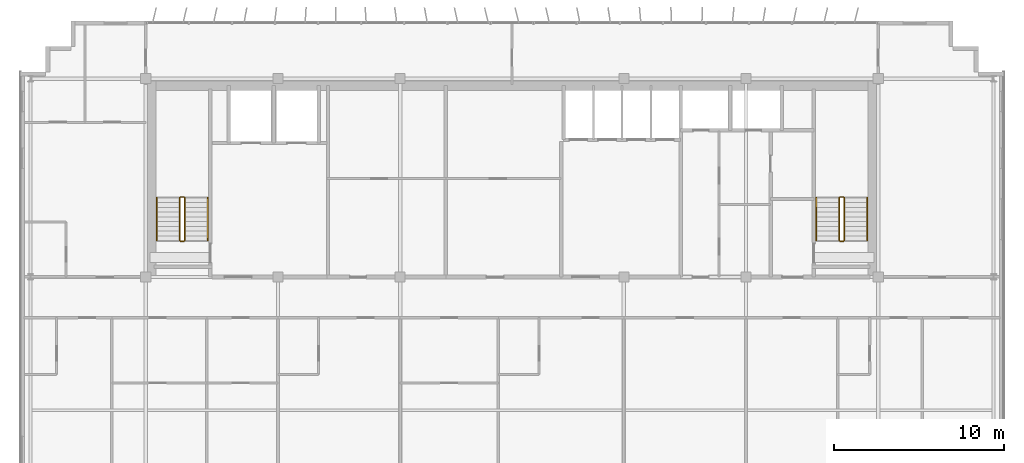
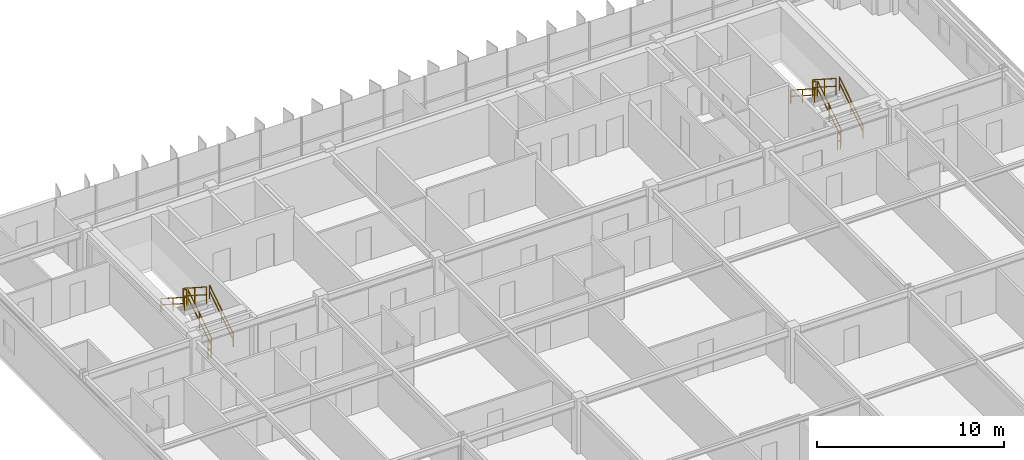
# One storey, part 23 of 23: 12 railings.
"""IFC4 building model written with IfcOpenShell, lengths in metres."""

import ifcopenshell
import ifcopenshell.guid

model = None  # the IFC model being written
_history = None  # IfcOwnerHistory: only IFC2X3 demands one
_inside = {}  # id of a spatial element -> (the spatial element, [elements in it])
_under = {}  # id of a project, library or spatial element -> (it, [spatial elements below it])
_declared = {}  # id of a project -> (the project, [libraries it declares])
_typed = {}  # id of a type object -> (the type object, [elements of that type])
_made_of = {}  # id of a material, layer set ... -> (it, [elements and type objects made of it])


def new_model(schema):
    """Start an empty IFC model of exactly this schema.

    Asked for "IFC4X3", IfcOpenShell would pick the latest addendum, in which some entities
    have other attributes; the version numbers below select the first issue.
    IFC2X3 requires an IfcOwnerHistory on every rooted entity: one is made here for all.
    """
    global model, _history
    if schema == "IFC4X3":
        model = ifcopenshell.file(schema_version=(4, 3, 0, 0))
    else:
        model = ifcopenshell.file(schema=schema)
    _inside.clear()
    _under.clear()
    _declared.clear()
    _typed.clear()
    _made_of.clear()
    _history = None
    if model.schema == "IFC2X3":
        org = make("IfcOrganization", Name="unknown")
        user = make(
            "IfcPersonAndOrganization",
            ThePerson=make("IfcPerson", FamilyName="unknown"),
            TheOrganization=org,
        )
        app = make(
            "IfcApplication",
            ApplicationDeveloper=org,
            Version="unknown",
            ApplicationFullName="unknown",
            ApplicationIdentifier="unknown",
        )
        _history = make(
            "IfcOwnerHistory",
            OwningUser=user,
            OwningApplication=app,
            ChangeAction="ADDED",
            CreationDate=0,
        )
    return model


def make(cls, **values):
    """One entity of the class cls with the attributes given. An attribute that is None is left unset."""
    return model.create_entity(
        cls, **{name: value for name, value in values.items() if value is not None}
    )


def rooted(cls, **values):
    """An entity with a GlobalId (a new one), such as an element, a storey or a relation."""
    return make(cls, GlobalId=ifcopenshell.guid.new(), OwnerHistory=_history, **values)


def si_unit(unit_type, name, prefix=None):
    """IfcSIUnit, for example si_unit("LENGTHUNIT", "METRE", prefix="MILLI")."""
    return make("IfcSIUnit", UnitType=unit_type, Prefix=prefix, Name=name)


def assignment(units):
    """IfcUnitAssignment: the units of a project."""
    return None if units is None else make("IfcUnitAssignment", Units=units)


def point(xyz):
    """IfcCartesianPoint."""
    return None if xyz is None else make("IfcCartesianPoint", Coordinates=xyz)


def direction(xyz):
    """IfcDirection."""
    return None if xyz is None else make("IfcDirection", DirectionRatios=xyz)


def frame(location, z_axis=None, x_axis=None):
    """IfcAxis2Placement3D, a coordinate frame: its origin and axes. An axis left out is left unset."""
    return make(
        "IfcAxis2Placement3D",
        Location=point(location),
        Axis=direction(z_axis),
        RefDirection=direction(x_axis),
    )


def frame_2d(location, x_axis=None):
    """IfcAxis2Placement2D, a coordinate frame in the plane: its origin and x axis."""
    return make(
        "IfcAxis2Placement2D", Location=point(location), RefDirection=direction(x_axis)
    )


def origin():
    """The frame at (0, 0, 0) with its axes left unset."""
    return frame((0.0, 0.0, 0.0))


def origin_2d():
    """The frame at (0, 0) in the plane with its x axis left unset."""
    return frame_2d((0.0, 0.0))


def place(relative_to, where):
    """IfcLocalPlacement: puts the frame where relative to a parent placement (None: the world)."""
    return make(
        "IfcLocalPlacement", PlacementRelTo=relative_to, RelativePlacement=where
    )


def context(
    kind, dimensions, precision=None, world=None, true_north=None, identifier=None
):
    """IfcGeometricRepresentationContext, for example the 3D "Model" context."""
    return make(
        "IfcGeometricRepresentationContext",
        ContextIdentifier=identifier,
        ContextType=kind,
        CoordinateSpaceDimension=dimensions,
        Precision=precision,
        WorldCoordinateSystem=world,
        TrueNorth=true_north,
    )


def subcontext(parent, identifier, kind, view, scale=None):
    """IfcGeometricRepresentationSubContext, for example "Body" below "Model"."""
    return make(
        "IfcGeometricRepresentationSubContext",
        ContextIdentifier=identifier,
        ContextType=kind,
        ParentContext=parent,
        TargetScale=scale,
        TargetView=view,
    )


def project(units=None, contexts=None):
    """IfcProject with its units and contexts."""
    return rooted(
        "IfcProject",
        Name="project",
        RepresentationContexts=contexts,
        UnitsInContext=assignment(units),
    )


def spatial(cls, under=None, at=None, **own):
    """A site, building, storey or space (cls), placed at a placement, below another one or the project."""
    s = rooted(cls, ObjectPlacement=at, **own)
    if under is not None:
        _under.setdefault(under.id(), (under, []))[1].append(s)
    return s


def profile(cls, at=None, kind="AREA", **sizes):
    """A parametric profile (cls). Its sizes go by their IFC names, for example OverallWidth=200.0."""
    return make(cls, ProfileType=kind, Position=at, **sizes)


def rectangle(**sizes):
    """IfcRectangleProfileDef."""
    return profile("IfcRectangleProfileDef", **sizes)


def extrude(swept, where, along, depth):
    """IfcExtrudedAreaSolid: the profile swept, set in the frame where, extruded along a direction by depth."""
    return make(
        "IfcExtrudedAreaSolid",
        SweptArea=swept,
        Position=where,
        ExtrudedDirection=direction(along),
        Depth=depth,
    )


def shape(context_of_items, identifier, shape_type, items):
    """IfcShapeRepresentation: the items that make up one representation, for example the "Body"."""
    return make(
        "IfcShapeRepresentation",
        ContextOfItems=context_of_items,
        RepresentationIdentifier=identifier,
        RepresentationType=shape_type,
        Items=items,
    )


def material(Name=None, Category=None):
    """IfcMaterial."""
    return make("IfcMaterial", Name=Name, Category=Category)


def made_of(thing, what):
    """Note that an element or type object is made of a material, layer set ...; save() writes the relation."""
    if what is not None:
        _made_of.setdefault(what.id(), (what, []))[1].append(thing)
    return thing


def type_object(cls, material=None, **own):
    """A type object (cls), such as IfcWallType, which elements share."""
    return made_of(rooted(cls, **own), material)


def element(
    cls,
    number,
    at=None,
    inside=None,
    cuts=None,
    type_object=None,
    material=None,
    context=None,
    identifier="Body",
    shape_type=None,
    held_by="IfcProductDefinitionShape",
    body=None,
    shapes=None,
    **own,
):
    """One element of the class cls, such as IfcWall. Its Tag is "e" and its number.

    at: its placement. inside: the storey or other place that contains it. cuts: it is an
    opening in that element (IfcRelVoidsElement). A single representation is given by context,
    identifier, shape_type and body (its items); several are given by shapes. held_by: the class
    of the entity that holds the representations. save() writes the other relations.
    """
    e = rooted(cls, Tag="e%d" % number, ObjectPlacement=at, **own)
    if body is not None:
        shapes = [shape(context, identifier, shape_type, body)]
    if shapes is not None:
        e.Representation = make(held_by, Representations=shapes)
    if inside is not None:
        _inside.setdefault(inside.id(), (inside, []))[1].append(e)
    if cuts is not None:
        rooted(
            "IfcRelVoidsElement", RelatingBuildingElement=cuts, RelatedOpeningElement=e
        )
    if type_object is not None:
        _typed.setdefault(type_object.id(), (type_object, []))[1].append(e)
    return made_of(e, material)


def aggregate(whole, parts):
    """IfcRelAggregates: a whole, such as a stair, and the parts it consists of."""
    return rooted("IfcRelAggregates", RelatingObject=whole, RelatedObjects=parts)


def save(model, path):
    """Write the relations noted so far, then the file.

    IfcRelAggregates (storeys below a building ...), IfcRelContainedInSpatialStructure (elements
    in a storey), IfcRelDefinesByType, IfcRelAssociatesMaterial and IfcRelDeclares: one each for
    every whole, place, type object, material and project.
    """
    for whole, parts in _under.values():
        aggregate(whole, parts)
    for where, things in _inside.values():
        rooted(
            "IfcRelContainedInSpatialStructure",
            RelatedElements=things,
            RelatingStructure=where,
        )
    for kind, things in _typed.values():
        rooted("IfcRelDefinesByType", RelatedObjects=things, RelatingType=kind)
    for what, things in _made_of.values():
        rooted("IfcRelAssociatesMaterial", RelatedObjects=things, RelatingMaterial=what)
    for by, libraries in _declared.values():
        rooted("IfcRelDeclares", RelatingContext=by, RelatedDefinitions=libraries)
    model.write(path)


model = new_model("IFC4")

# Units and contexts
model_context = context("Model", 3, precision=1e-05, world=origin(), true_north=direction((0.0, 1.0)))
body_context = subcontext(model_context, "Body", "Model", "MODEL_VIEW")
ifc_project = project(units=[si_unit("LENGTHUNIT", "METRE"), si_unit("AREAUNIT", "SQUARE_METRE"), si_unit("VOLUMEUNIT", "CUBIC_METRE"), si_unit("PLANEANGLEUNIT", "RADIAN"), si_unit("MASSUNIT", "GRAM", prefix="KILO")], contexts=[model_context])

# Site, building, storey
site_placement = place(None, origin())
site = spatial("IfcSite", under=ifc_project, at=site_placement, CompositionType="ELEMENT")
building_placement = place(site_placement, origin())
building = spatial("IfcBuilding", under=site, at=building_placement, Name="Trelvane Seafront Commons", CompositionType="ELEMENT")
storey_placement = place(building_placement, frame((0.0, 0.0, 266.699951171875)))
storey = spatial("IfcBuildingStorey", under=building, at=storey_placement, Name="L69", CompositionType="ELEMENT", Elevation=266.699951171875)

# Railings
ifc_material = material(Name="Stainless steel balustrade", Category="steel")
railing_type_1 = type_object("IfcRailingType", Name="ARCH-SRL-GUARD", PredefinedType="GUARDRAIL", material=ifc_material)
railing_1_placement = place(storey_placement, frame((17.89990234375, 35.550048828125, 0.179931640625)))
element("IfcRailing", 1, at=railing_1_placement, inside=storey, type_object=railing_type_1, Name="L69 ST-1 stair guard 1", PredefinedType="GUARDRAIL", context=body_context, shape_type="SweptSolid", body=[
    extrude(rectangle(XDim=0.048095703125, YDim=0.048095703125, at=origin_2d()), frame((0.0, 0.0, 1.076171875), z_axis=(0.0, 0.841162588446, 0.540782303519), x_axis=(-1.0, 0.0, 0.0)), (0.0, 0.0, 1.0), 2.995849609375),
    extrude(rectangle(XDim=0.048095703125, YDim=0.048095703125, at=origin_2d()), frame((0.0, 0.0, 0.572021484375), z_axis=(0.0, 0.841162588446, 0.540782303519), x_axis=(-1.0, 0.0, 0.0)), (0.0, 0.0, 1.0), 2.995849609375),
    extrude(rectangle(XDim=0.0419921875, YDim=0.0419921875, at=origin_2d()), origin(), (0.0, 0.0, 1.0), 1.076171875),
    extrude(rectangle(XDim=0.0419921875, YDim=0.0419921875, at=origin_2d()), frame((0.0, 1.260009765625, 0.81005859375)), (0.0, 0.0, 1.0), 1.076171875),
    extrude(rectangle(XDim=0.0419921875, YDim=0.0419921875, at=origin_2d()), frame((0.0, 2.52001953125, 1.6201171875)), (0.0, 0.0, 1.0), 1.076171875),
])
railing_2_placement = place(storey_placement, frame((17.85009765625, 38.1201171875, 1.800048828125)))
element("IfcRailing", 2, at=railing_2_placement, inside=storey, type_object=railing_type_1, Name="L69 ST-1 stair guard 2", PredefinedType="GUARDRAIL", context=body_context, shape_type="SweptSolid", body=[
    extrude(rectangle(XDim=0.048095703125, YDim=0.048095703125, at=origin_2d()), frame((0.0, 0.0, 1.076171875), z_axis=(-1.0, 0.0, 0.0), x_axis=(0.0, -1.0, 0.0)), (0.0, 0.0, 1.0), 0.2001953125),
    extrude(rectangle(XDim=0.048095703125, YDim=0.048095703125, at=origin_2d()), frame((0.0, 0.0, 0.572021484375), z_axis=(-1.0, 0.0, 0.0), x_axis=(0.0, -1.0, 0.0)), (0.0, 0.0, 1.0), 0.2001953125),
    extrude(rectangle(XDim=0.0419921875, YDim=0.0419921875, at=origin_2d()), origin(), (0.0, 0.0, 1.0), 1.076171875),
    extrude(rectangle(XDim=0.0419921875, YDim=0.0419921875, at=origin_2d()), frame((-0.2001953125, 0.0, 0.0)), (0.0, 0.0, 1.0), 1.076171875),
])
railing_3_placement = place(storey_placement, frame((17.60009765625, 38.070068359375, 1.97998046875)))
element("IfcRailing", 3, at=railing_3_placement, inside=storey, type_object=railing_type_1, Name="L69 ST-1 stair guard 3", PredefinedType="GUARDRAIL", context=body_context, shape_type="SweptSolid", body=[
    extrude(rectangle(XDim=0.048095703125, YDim=0.048095703125, at=origin_2d()), frame((0.0, 0.0, 1.076171875), z_axis=(0.0, -0.841162588446, 0.540782303519), x_axis=(1.0, 0.0, 0.0)), (0.0, 0.0, 1.0), 2.995849609375),
    extrude(rectangle(XDim=0.048095703125, YDim=0.048095703125, at=origin_2d()), frame((0.0, 0.0, 0.572021484375), z_axis=(0.0, -0.841162588446, 0.540782303519), x_axis=(1.0, 0.0, 0.0)), (0.0, 0.0, 1.0), 2.995849609375),
    extrude(rectangle(XDim=0.0419921875, YDim=0.0419921875, at=origin_2d()), origin(), (0.0, 0.0, 1.0), 1.076171875),
    extrude(rectangle(XDim=0.0419921875, YDim=0.0419921875, at=origin_2d()), frame((0.0, -1.260009765625, 0.81005859375)), (0.0, 0.0, 1.0), 1.076171875),
    extrude(rectangle(XDim=0.0419921875, YDim=0.0419921875, at=origin_2d()), frame((0.0, -2.52001953125, 1.6201171875)), (0.0, 0.0, 1.0), 1.076171875),
])
railing_4_placement = place(storey_placement, frame((17.85009765625, 35.5, 0.0)))
element("IfcRailing", 4, at=railing_4_placement, inside=storey, type_object=railing_type_1, Name="L69 ST-1 stair guard 4", PredefinedType="GUARDRAIL", context=body_context, shape_type="SweptSolid", body=[
    extrude(rectangle(XDim=0.048095703125, YDim=0.048095703125, at=origin_2d()), frame((0.0, 0.0, 1.076171875), z_axis=(-1.0, 0.0, 0.0), x_axis=(0.0, -1.0, 0.0)), (0.0, 0.0, 1.0), 0.2001953125),
    extrude(rectangle(XDim=0.048095703125, YDim=0.048095703125, at=origin_2d()), frame((0.0, 0.0, 0.572021484375), z_axis=(-1.0, 0.0, 0.0), x_axis=(0.0, -1.0, 0.0)), (0.0, 0.0, 1.0), 0.2001953125),
    extrude(rectangle(XDim=0.0419921875, YDim=0.0419921875, at=origin_2d()), origin(), (0.0, 0.0, 1.0), 1.076171875),
    extrude(rectangle(XDim=0.0419921875, YDim=0.0419921875, at=origin_2d()), frame((-0.2001953125, 0.0, 0.0)), (0.0, 0.0, 1.0), 1.076171875),
])
railing_5_placement = place(storey_placement, frame((56.800048828125, 35.550048828125, 0.179931640625)))
element("IfcRailing", 5, at=railing_5_placement, inside=storey, type_object=railing_type_1, Name="L69 ST-2 stair guard 1", PredefinedType="GUARDRAIL", context=body_context, shape_type="SweptSolid", body=[
    extrude(rectangle(XDim=0.048095703125, YDim=0.048095703125, at=origin_2d()), frame((0.0, 0.0, 1.076171875), z_axis=(0.0, 0.841162588446, 0.540782303519), x_axis=(-1.0, 0.0, 0.0)), (0.0, 0.0, 1.0), 2.995849609375),
    extrude(rectangle(XDim=0.048095703125, YDim=0.048095703125, at=origin_2d()), frame((0.0, 0.0, 0.572021484375), z_axis=(0.0, 0.841162588446, 0.540782303519), x_axis=(-1.0, 0.0, 0.0)), (0.0, 0.0, 1.0), 2.995849609375),
    extrude(rectangle(XDim=0.0419921875, YDim=0.0419921875, at=origin_2d()), origin(), (0.0, 0.0, 1.0), 1.076171875),
    extrude(rectangle(XDim=0.0419921875, YDim=0.0419921875, at=origin_2d()), frame((0.0, 1.260009765625, 0.81005859375)), (0.0, 0.0, 1.0), 1.076171875),
    extrude(rectangle(XDim=0.0419921875, YDim=0.0419921875, at=origin_2d()), frame((0.0, 2.52001953125, 1.6201171875)), (0.0, 0.0, 1.0), 1.076171875),
])
railing_6_placement = place(storey_placement, frame((56.75, 38.1201171875, 1.800048828125)))
element("IfcRailing", 6, at=railing_6_placement, inside=storey, type_object=railing_type_1, Name="L69 ST-2 stair guard 2", PredefinedType="GUARDRAIL", context=body_context, shape_type="SweptSolid", body=[
    extrude(rectangle(XDim=0.048095703125, YDim=0.048095703125, at=origin_2d()), frame((0.0, 0.0, 1.076171875), z_axis=(-1.0, 0.0, 0.0), x_axis=(0.0, -1.0, 0.0)), (0.0, 0.0, 1.0), 0.199951171875),
    extrude(rectangle(XDim=0.048095703125, YDim=0.048095703125, at=origin_2d()), frame((0.0, 0.0, 0.572021484375), z_axis=(-1.0, 0.0, 0.0), x_axis=(0.0, -1.0, 0.0)), (0.0, 0.0, 1.0), 0.199951171875),
    extrude(rectangle(XDim=0.0419921875, YDim=0.0419921875, at=origin_2d()), origin(), (0.0, 0.0, 1.0), 1.076171875),
    extrude(rectangle(XDim=0.0419921875, YDim=0.0419921875, at=origin_2d()), frame((-0.199951171875, 0.0, 0.0)), (0.0, 0.0, 1.0), 1.076171875),
])
railing_7_placement = place(storey_placement, frame((56.5, 38.070068359375, 1.97998046875)))
element("IfcRailing", 7, at=railing_7_placement, inside=storey, type_object=railing_type_1, Name="L69 ST-2 stair guard 3", PredefinedType="GUARDRAIL", context=body_context, shape_type="SweptSolid", body=[
    extrude(rectangle(XDim=0.048095703125, YDim=0.048095703125, at=origin_2d()), frame((0.0, 0.0, 1.076171875), z_axis=(0.0, -0.841162588446, 0.540782303519), x_axis=(1.0, 0.0, 0.0)), (0.0, 0.0, 1.0), 2.995849609375),
    extrude(rectangle(XDim=0.048095703125, YDim=0.048095703125, at=origin_2d()), frame((0.0, 0.0, 0.572021484375), z_axis=(0.0, -0.841162588446, 0.540782303519), x_axis=(1.0, 0.0, 0.0)), (0.0, 0.0, 1.0), 2.995849609375),
    extrude(rectangle(XDim=0.0419921875, YDim=0.0419921875, at=origin_2d()), origin(), (0.0, 0.0, 1.0), 1.076171875),
    extrude(rectangle(XDim=0.0419921875, YDim=0.0419921875, at=origin_2d()), frame((0.0, -1.260009765625, 0.81005859375)), (0.0, 0.0, 1.0), 1.076171875),
    extrude(rectangle(XDim=0.0419921875, YDim=0.0419921875, at=origin_2d()), frame((0.0, -2.52001953125, 1.6201171875)), (0.0, 0.0, 1.0), 1.076171875),
])
railing_8_placement = place(storey_placement, frame((56.75, 35.5, 0.0)))
element("IfcRailing", 8, at=railing_8_placement, inside=storey, type_object=railing_type_1, Name="L69 ST-2 stair guard 4", PredefinedType="GUARDRAIL", context=body_context, shape_type="SweptSolid", body=[
    extrude(rectangle(XDim=0.048095703125, YDim=0.048095703125, at=origin_2d()), frame((0.0, 0.0, 1.076171875), z_axis=(-1.0, 0.0, 0.0), x_axis=(0.0, -1.0, 0.0)), (0.0, 0.0, 1.0), 0.199951171875),
    extrude(rectangle(XDim=0.048095703125, YDim=0.048095703125, at=origin_2d()), frame((0.0, 0.0, 0.572021484375), z_axis=(-1.0, 0.0, 0.0), x_axis=(0.0, -1.0, 0.0)), (0.0, 0.0, 1.0), 0.199951171875),
    extrude(rectangle(XDim=0.0419921875, YDim=0.0419921875, at=origin_2d()), origin(), (0.0, 0.0, 1.0), 1.076171875),
    extrude(rectangle(XDim=0.0419921875, YDim=0.0419921875, at=origin_2d()), frame((-0.199951171875, 0.0, 0.0)), (0.0, 0.0, 1.0), 1.076171875),
])
railing_type_2 = type_object("IfcRailingType", Name="ARCH-SRL-HAND", PredefinedType="HANDRAIL", material=ifc_material)
railing_9_placement = place(storey_placement, frame((19.25, 35.550048828125, 0.179931640625)))
element("IfcRailing", 9, at=railing_9_placement, inside=storey, type_object=railing_type_2, Name="L69 ST-1 stair handrail 1", PredefinedType="HANDRAIL", context=body_context, shape_type="SweptSolid", body=[
    extrude(rectangle(XDim=0.048095703125, YDim=0.048095703125, at=origin_2d()), frame((0.0, 0.0, 0.8759765625), z_axis=(0.0, 0.841162588446, 0.540782303519), x_axis=(-1.0, 0.0, 0.0)), (0.0, 0.0, 1.0), 2.995849609375),
    extrude(rectangle(XDim=0.048095703125, YDim=0.048095703125, at=origin_2d()), frame((0.0, 0.0, 0.468017578125), z_axis=(0.0, 0.841162588446, 0.540782303519), x_axis=(-1.0, 0.0, 0.0)), (0.0, 0.0, 1.0), 2.995849609375),
    extrude(rectangle(XDim=0.0419921875, YDim=0.0419921875, at=origin_2d()), origin(), (0.0, 0.0, 1.0), 0.8759765625),
    extrude(rectangle(XDim=0.0419921875, YDim=0.0419921875, at=origin_2d()), frame((0.0, 1.260009765625, 0.81005859375)), (0.0, 0.0, 1.0), 0.8759765625),
    extrude(rectangle(XDim=0.0419921875, YDim=0.0419921875, at=origin_2d()), frame((0.0, 2.52001953125, 1.6201171875)), (0.0, 0.0, 1.0), 0.8759765625),
])
railing_10_placement = place(storey_placement, frame((16.25, 38.070068359375, 1.97998046875)))
element("IfcRailing", 10, at=railing_10_placement, inside=storey, type_object=railing_type_2, Name="L69 ST-1 stair handrail 2", PredefinedType="HANDRAIL", context=body_context, shape_type="SweptSolid", body=[
    extrude(rectangle(XDim=0.048095703125, YDim=0.048095703125, at=origin_2d()), frame((0.0, 0.0, 0.8759765625), z_axis=(0.0, -0.841162588446, 0.540782303519), x_axis=(1.0, 0.0, 0.0)), (0.0, 0.0, 1.0), 2.995849609375),
    extrude(rectangle(XDim=0.048095703125, YDim=0.048095703125, at=origin_2d()), frame((0.0, 0.0, 0.468017578125), z_axis=(0.0, -0.841162588446, 0.540782303519), x_axis=(1.0, 0.0, 0.0)), (0.0, 0.0, 1.0), 2.995849609375),
    extrude(rectangle(XDim=0.0419921875, YDim=0.0419921875, at=origin_2d()), origin(), (0.0, 0.0, 1.0), 0.8759765625),
    extrude(rectangle(XDim=0.0419921875, YDim=0.0419921875, at=origin_2d()), frame((0.0, -1.260009765625, 0.81005859375)), (0.0, 0.0, 1.0), 0.8759765625),
    extrude(rectangle(XDim=0.0419921875, YDim=0.0419921875, at=origin_2d()), frame((0.0, -2.52001953125, 1.6201171875)), (0.0, 0.0, 1.0), 0.8759765625),
])
railing_11_placement = place(storey_placement, frame((58.14990234375, 35.550048828125, 0.179931640625)))
element("IfcRailing", 11, at=railing_11_placement, inside=storey, type_object=railing_type_2, Name="L69 ST-2 stair handrail 1", PredefinedType="HANDRAIL", context=body_context, shape_type="SweptSolid", body=[
    extrude(rectangle(XDim=0.048095703125, YDim=0.048095703125, at=origin_2d()), frame((0.0, 0.0, 0.8759765625), z_axis=(0.0, 0.841162588446, 0.540782303519), x_axis=(-1.0, 0.0, 0.0)), (0.0, 0.0, 1.0), 2.995849609375),
    extrude(rectangle(XDim=0.048095703125, YDim=0.048095703125, at=origin_2d()), frame((0.0, 0.0, 0.468017578125), z_axis=(0.0, 0.841162588446, 0.540782303519), x_axis=(-1.0, 0.0, 0.0)), (0.0, 0.0, 1.0), 2.995849609375),
    extrude(rectangle(XDim=0.0419921875, YDim=0.0419921875, at=origin_2d()), origin(), (0.0, 0.0, 1.0), 0.8759765625),
    extrude(rectangle(XDim=0.0419921875, YDim=0.0419921875, at=origin_2d()), frame((0.0, 1.260009765625, 0.81005859375)), (0.0, 0.0, 1.0), 0.8759765625),
    extrude(rectangle(XDim=0.0419921875, YDim=0.0419921875, at=origin_2d()), frame((0.0, 2.52001953125, 1.6201171875)), (0.0, 0.0, 1.0), 0.8759765625),
])
railing_12_placement = place(storey_placement, frame((55.14990234375, 38.070068359375, 1.97998046875)))
element("IfcRailing", 12, at=railing_12_placement, inside=storey, type_object=railing_type_2, Name="L69 ST-2 stair handrail 2", PredefinedType="HANDRAIL", context=body_context, shape_type="SweptSolid", body=[
    extrude(rectangle(XDim=0.048095703125, YDim=0.048095703125, at=origin_2d()), frame((0.0, 0.0, 0.8759765625), z_axis=(0.0, -0.841162588446, 0.540782303519), x_axis=(1.0, 0.0, 0.0)), (0.0, 0.0, 1.0), 2.995849609375),
    extrude(rectangle(XDim=0.048095703125, YDim=0.048095703125, at=origin_2d()), frame((0.0, 0.0, 0.468017578125), z_axis=(0.0, -0.841162588446, 0.540782303519), x_axis=(1.0, 0.0, 0.0)), (0.0, 0.0, 1.0), 2.995849609375),
    extrude(rectangle(XDim=0.0419921875, YDim=0.0419921875, at=origin_2d()), origin(), (0.0, 0.0, 1.0), 0.8759765625),
    extrude(rectangle(XDim=0.0419921875, YDim=0.0419921875, at=origin_2d()), frame((0.0, -1.260009765625, 0.81005859375)), (0.0, 0.0, 1.0), 0.8759765625),
    extrude(rectangle(XDim=0.0419921875, YDim=0.0419921875, at=origin_2d()), frame((0.0, -2.52001953125, 1.6201171875)), (0.0, 0.0, 1.0), 0.8759765625),
])

save(model, "model.ifc")
